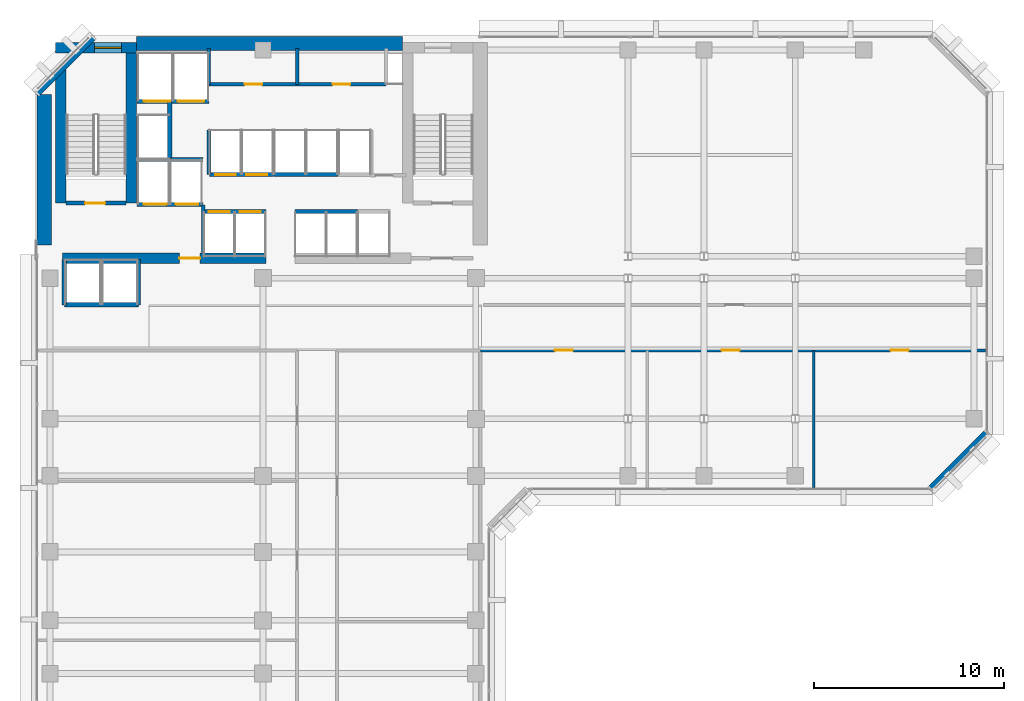
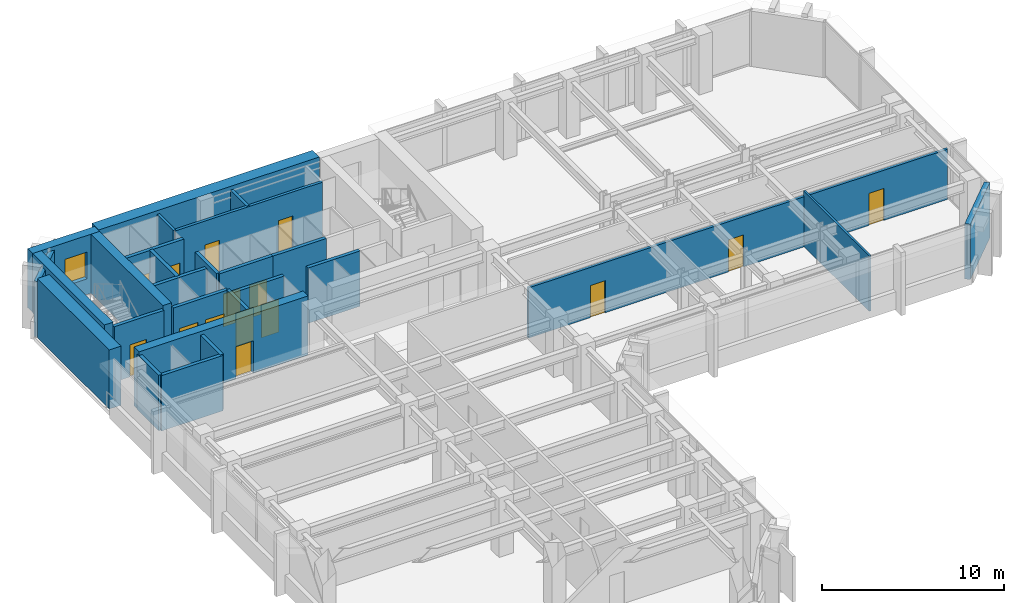
# One storey, part 7 of 12: 27 walls, 15 doors, 1 window, 16 openings.
"""IFC4 building model written with IfcOpenShell, lengths in metres."""

from ifc_helpers import new_model, si_unit, direction, frame, frame_2d, origin, place, context, subcontext, project, spatial, rectangle, extrude, material, layer, layer_set, type_object, element, fill, save


model = new_model("IFC4")

# Units and contexts
model_context = context("Model", 3, precision=1e-05, world=origin(), true_north=direction((0.0, 1.0)))
body_context = subcontext(model_context, "Body", "Model", "MODEL_VIEW")
ifc_project = project(units=[si_unit("LENGTHUNIT", "METRE"), si_unit("AREAUNIT", "SQUARE_METRE"), si_unit("VOLUMEUNIT", "CUBIC_METRE"), si_unit("PLANEANGLEUNIT", "RADIAN"), si_unit("MASSUNIT", "GRAM", prefix="KILO")], contexts=[model_context])

# Site, building, storey
site_placement = place(None, origin())
site = spatial("IfcSite", under=ifc_project, at=site_placement, CompositionType="ELEMENT")
building_placement = place(site_placement, origin())
building = spatial("IfcBuilding", under=site, at=building_placement, Name="Kefirva Bronze Tower", CompositionType="ELEMENT")
storey_placement = place(building_placement, frame((0.0, 0.0, 114.510009765625)))
storey = spatial("IfcBuildingStorey", under=building, at=storey_placement, Name="L27", CompositionType="ELEMENT", Elevation=114.510009765625)

# Wall
ifc_material_1 = material(Name="Gypsum acoustic partition")
ifc_layer_1 = layer(ifc_material_1, 0.1298828125, Name="Gypsum acoustic partition")
ifc_layer_set_1 = layer_set([ifc_layer_1], Name="Gypsum acoustic partition")
wall_type_1 = type_object("IfcWallType", Name="Acoustic Office Partition 130mm", PredefinedType="PARTITIONING", material=ifc_layer_set_1)
wall_1_placement = place(storey_placement, frame((40.9794921875, 22.18994140625, 0.0), z_axis=(0.0, 0.0, 1.0), x_axis=(0.0, 1.0, 0.0)))
element("IfcWall", 1, at=wall_1_placement, inside=storey, type_object=wall_type_1, Name="L27 Partition W-L27-ESD2", PredefinedType="PARTITIONING", context=body_context, shape_type="SweptSolid", body=[
    extrude(rectangle(XDim=7.2099609375, YDim=0.1298828125, at=frame_2d((3.60498046875, 0.0))), origin(), (0.0, 0.0, 1.0), 3.7099609375),
])

# Wall, opening, door
ifc_material_2 = material(Name="Gypsum fireboard shaftwall")
ifc_layer_2 = layer(ifc_material_2, 0.219970703125, Name="Gypsum fireboard shaftwall")
ifc_layer_set_2 = layer_set([ifc_layer_2], Name="Gypsum fireboard shaftwall")
wall_type_2 = type_object("IfcWallType", Name="Fire-Rated Shaft Enclosure Wall 220mm", PredefinedType="PARTITIONING", material=ifc_layer_set_2)
wall_2_placement = place(storey_placement, frame((1.64990234375, 37.14990234375, 0.0), z_axis=(0.0, 0.0, 1.0), x_axis=(1.0, 0.0, 0.0)))
wall_2 = element("IfcWall", 2, at=wall_2_placement, inside=storey, type_object=wall_type_2, Name="L27 Partition W-L27-ST1S", PredefinedType="PARTITIONING", context=body_context, shape_type="SweptSolid", body=[
    extrude(rectangle(XDim=3.150146484375, YDim=0.219970703125, at=frame_2d((1.5751953125, 0.0))), origin(), (0.0, 0.0, 1.0), 3.7099609375),
])
opening_1_placement = place(wall_2_placement, frame((2.050048828125, 0.0, 0.0), z_axis=(0.0, 0.0, 1.0), x_axis=(-1.0, 0.0, 0.0)))
opening_1 = element("IfcOpeningElement", 3, at=opening_1_placement, cuts=wall_2, Name="Opening L27-D001", PredefinedType="OPENING", context=body_context, shape_type="SweptSolid", body=[
    extrude(rectangle(XDim=1.050048828125, YDim=2.14990234375, at=frame_2d((0.52490234375, 1.074951171875))), frame((0.0, 0.1201171875, 0.0), z_axis=(0.0, -1.0, 0.0), x_axis=(1.0, 0.0, 0.0)), (0.0, 0.0, 1.0), 0.239990234375),
])
ifc_material_3 = material(Name="Painted galvanized steel", Category="steel")
door_type_1 = type_object("IfcDoorType", Name="Fire Stair Enclosure Door 1050x2150 FD90S", OperationType="NOTDEFINED", PredefinedType="DOOR", material=ifc_material_3)
door_1_placement = place(opening_1_placement, origin())
door_1 = element("IfcDoor", 4, at=door_1_placement, inside=storey, type_object=door_type_1, Name="Door L27-D001", OperationType="SINGLE_SWING_LEFT", OverallHeight=2.14990234375, OverallWidth=1.050048828125, PredefinedType="DOOR", context=body_context, shape_type="SweptSolid", body=[
    extrude(rectangle(XDim=1.050048828125, YDim=2.14990234375, at=frame_2d((0.52490234375, 1.074951171875))), frame((0.0, 0.02490234375, 0.0), z_axis=(0.0, -1.0, 0.0), x_axis=(1.0, 0.0, 0.0)), (0.0, 0.0, 1.0), 0.050048828125),
])
fill(opening_1, door_1)

# Wall, openings, doors
wall_3_placement = place(storey_placement, frame((5.3798828125, 37.080078125, 0.0), z_axis=(0.0, 0.0, 1.0), x_axis=(1.0, 0.0, 0.0)))
wall_3 = element("IfcWall", 5, at=wall_3_placement, inside=storey, type_object=wall_type_2, Name="L27 Partition W-L27-FFS", PredefinedType="PARTITIONING", context=body_context, shape_type="SweptSolid", body=[
    extrude(rectangle(XDim=3.460205078125, YDim=0.219970703125, at=frame_2d((1.72998046875, 0.0))), origin(), (0.0, 0.0, 1.0), 3.7099609375),
])
opening_2_placement = place(wall_3_placement, frame((1.550048828125, 0.0, 0.0), z_axis=(0.0, 0.0, 1.0), x_axis=(-1.0, 0.0, 0.0)))
opening_2 = element("IfcOpeningElement", 6, at=opening_2_placement, cuts=wall_3, Name="Opening L27-LD-FF1", PredefinedType="OPENING", context=body_context, shape_type="SweptSolid", body=[
    extrude(rectangle(XDim=1.199951171875, YDim=2.199951171875, at=frame_2d((0.60009765625, 1.10009765625))), frame((0.0, 0.1201171875, 0.0), z_axis=(0.0, -1.0, 0.0), x_axis=(1.0, 0.0, 0.0)), (0.0, 0.0, 1.0), 0.239990234375),
])
opening_3_placement = place(wall_3_placement, frame((3.219970703125, 0.0, 0.0), z_axis=(0.0, 0.0, 1.0), x_axis=(-1.0, 0.0, 0.0)))
opening_3 = element("IfcOpeningElement", 7, at=opening_3_placement, cuts=wall_3, Name="Opening L27-LD-FF2", PredefinedType="OPENING", context=body_context, shape_type="SweptSolid", body=[
    extrude(rectangle(XDim=1.199951171875, YDim=2.199951171875, at=frame_2d((0.60009765625, 1.10009765625))), frame((0.0, 0.1201171875, 0.0), z_axis=(0.0, -1.0, 0.0), x_axis=(1.0, 0.0, 0.0)), (0.0, 0.0, 1.0), 0.239990234375),
])
ifc_material_4 = material(Name="Stainless steel 316", Category="steel")
door_type_2 = type_object("IfcDoorType", Name="Firefighting Lift Sliding Door 1200x2200", OperationType="SLIDING_TO_RIGHT", PredefinedType="DOOR", material=ifc_material_4)
door_2_placement = place(opening_2_placement, origin())
door_2 = element("IfcDoor", 8, at=door_2_placement, inside=storey, type_object=door_type_2, Name="Door L27-LD-FF1", OperationType="SLIDING_TO_RIGHT", OverallHeight=2.199951171875, OverallWidth=1.199951171875, PredefinedType="DOOR", context=body_context, shape_type="SweptSolid", body=[
    extrude(rectangle(XDim=1.199951171875, YDim=2.199951171875, at=frame_2d((0.60009765625, 1.10009765625))), frame((0.0, 0.02490234375, 0.0), z_axis=(0.0, -1.0, 0.0), x_axis=(1.0, 0.0, 0.0)), (0.0, 0.0, 1.0), 0.050048828125),
])
fill(opening_2, door_2)
door_3_placement = place(opening_3_placement, origin())
door_3 = element("IfcDoor", 9, at=door_3_placement, inside=storey, type_object=door_type_2, Name="Door L27-LD-FF2", OperationType="SLIDING_TO_RIGHT", OverallHeight=2.199951171875, OverallWidth=1.199951171875, PredefinedType="DOOR", context=body_context, shape_type="SweptSolid", body=[
    extrude(rectangle(XDim=1.199951171875, YDim=2.199951171875, at=frame_2d((0.60009765625, 1.10009765625))), frame((0.0, 0.02490234375, 0.0), z_axis=(0.0, -1.0, 0.0), x_axis=(1.0, 0.0, 0.0)), (0.0, 0.0, 1.0), 0.050048828125),
])
fill(opening_3, door_3)

# Wall
wall_4_placement = place(storey_placement, frame((5.3798828125, 39.449951171875, 0.0), z_axis=(0.0, 0.0, 1.0), x_axis=(1.0, 0.0, 0.0)))
element("IfcWall", 10, at=wall_4_placement, inside=storey, type_object=wall_type_2, Name="L27 Partition W-L27-FFN", PredefinedType="PARTITIONING", context=body_context, shape_type="SweptSolid", body=[
    extrude(rectangle(XDim=3.460205078125, YDim=0.219970703125, at=frame_2d((1.72998046875, 0.0))), origin(), (0.0, 0.0, 1.0), 3.7099609375),
])

# Wall, openings, doors
wall_5_placement = place(storey_placement, frame((5.3798828125, 42.5, 0.0), z_axis=(0.0, 0.0, 1.0), x_axis=(1.0, 0.0, 0.0)))
wall_5 = element("IfcWall", 11, at=wall_5_placement, inside=storey, type_object=wall_type_2, Name="L27 Partition W-L27-SVS", PredefinedType="PARTITIONING", context=body_context, shape_type="SweptSolid", body=[
    extrude(rectangle(XDim=3.77001953125, YDim=0.219970703125, at=frame_2d((1.885009765625, 0.0))), origin(), (0.0, 0.0, 1.0), 3.7099609375),
])
opening_4_placement = place(wall_5_placement, frame((1.75, 0.0, 0.0), z_axis=(0.0, 0.0, 1.0), x_axis=(-1.0, 0.0, 0.0)))
opening_4 = element("IfcOpeningElement", 12, at=opening_4_placement, cuts=wall_5, Name="Opening L27-LD-SV1", PredefinedType="OPENING", context=body_context, shape_type="SweptSolid", body=[
    extrude(rectangle(XDim=1.39990234375, YDim=2.199951171875, at=frame_2d((0.699951171875, 1.10009765625))), frame((0.0, 0.1201171875, 0.0), z_axis=(0.0, -1.0, 0.0), x_axis=(1.0, 0.0, 0.0)), (0.0, 0.0, 1.0), 0.239990234375),
])
opening_5_placement = place(wall_5_placement, frame((3.52978515625, 0.0, 0.0), z_axis=(0.0, 0.0, 1.0), x_axis=(-1.0, 0.0, 0.0)))
opening_5 = element("IfcOpeningElement", 13, at=opening_5_placement, cuts=wall_5, Name="Opening L27-LD-SV2", PredefinedType="OPENING", context=body_context, shape_type="SweptSolid", body=[
    extrude(rectangle(XDim=1.39990234375, YDim=2.199951171875, at=frame_2d((0.699951171875, 1.10009765625))), frame((0.0, 0.1201171875, 0.0), z_axis=(0.0, -1.0, 0.0), x_axis=(1.0, 0.0, 0.0)), (0.0, 0.0, 1.0), 0.239990234375),
])
door_type_3 = type_object("IfcDoorType", Name="Goods Lift Bi-Parting Sliding Door 1400x2200", OperationType="SLIDING_TO_LEFT", PredefinedType="DOOR", material=ifc_material_4)
door_4_placement = place(opening_4_placement, origin())
door_4 = element("IfcDoor", 14, at=door_4_placement, inside=storey, type_object=door_type_3, Name="Door L27-LD-SV1", OperationType="SLIDING_TO_LEFT", OverallHeight=2.199951171875, OverallWidth=1.39990234375, PredefinedType="DOOR", context=body_context, shape_type="SweptSolid", body=[
    extrude(rectangle(XDim=1.39990234375, YDim=2.199951171875, at=frame_2d((0.699951171875, 1.10009765625))), frame((0.0, 0.02490234375, 0.0), z_axis=(0.0, -1.0, 0.0), x_axis=(1.0, 0.0, 0.0)), (0.0, 0.0, 1.0), 0.050048828125),
])
fill(opening_4, door_4)
door_5_placement = place(opening_5_placement, origin())
door_5 = element("IfcDoor", 15, at=door_5_placement, inside=storey, type_object=door_type_3, Name="Door L27-LD-SV2", OperationType="SLIDING_TO_LEFT", OverallHeight=2.199951171875, OverallWidth=1.39990234375, PredefinedType="DOOR", context=body_context, shape_type="SweptSolid", body=[
    extrude(rectangle(XDim=1.39990234375, YDim=2.199951171875, at=frame_2d((0.699951171875, 1.10009765625))), frame((0.0, 0.02490234375, 0.0), z_axis=(0.0, -1.0, 0.0), x_axis=(1.0, 0.0, 0.0)), (0.0, 0.0, 1.0), 0.050048828125),
])
fill(opening_5, door_5)

# Walls
wall_6_placement = place(storey_placement, frame((7.10009765625, 39.52001953125, 0.0), z_axis=(0.0, 0.0, 1.0), x_axis=(0.0, 1.0, 0.0)))
element("IfcWall", 16, at=wall_6_placement, inside=storey, type_object=wall_type_2, Name="L27 Partition W-L27-HP3E", PredefinedType="PARTITIONING", context=body_context, shape_type="SweptSolid", body=[
    extrude(rectangle(XDim=2.929931640625, YDim=0.219970703125, at=frame_2d((1.46484375, 0.0))), origin(), (0.0, 0.0, 1.0), 3.7099609375),
])
wall_7_placement = place(storey_placement, frame((1.550048828125, 31.800048828125, 0.0), z_axis=(0.0, 0.0, 1.0), x_axis=(1.0, 0.0, 0.0)))
element("IfcWall", 17, at=wall_7_placement, inside=storey, type_object=wall_type_2, Name="L27 Partition W-L27-OBS", PredefinedType="PARTITIONING", context=body_context, shape_type="SweptSolid", body=[
    extrude(rectangle(XDim=3.89990234375, YDim=0.219970703125, at=frame_2d((1.949951171875, 0.0))), origin(), (0.0, 0.0, 1.0), 3.7099609375),
])
for number, where, z_axis, x_axis, name in (
    (18, (1.550048828125, 31.800048828125, 0.0), (0.0, 0.0, 1.0), (0.0, 1.0, 0.0), "L27 Partition W-L27-OBW"),
    (19, (5.449951171875, 31.800048828125, 0.0), (0.0, 0.0, 1.0), (0.0, 1.0, 0.0), "L27 Partition W-L27-OBE"),
):
    element("IfcWall", number, at=place(storey_placement, frame(where, z_axis=z_axis, x_axis=x_axis)), inside=storey, type_object=wall_type_2, Name=name, PredefinedType="PARTITIONING", context=body_context, shape_type="SweptSolid", body=[
        extrude(rectangle(XDim=2.3798828125, YDim=0.219970703125, at=frame_2d((1.18994140625, 0.0))), origin(), (0.0, 0.0, 1.0), 3.7099609375),
    ])
wall_8_placement = place(storey_placement, frame((9.159912109375, 38.64990234375, 0.0), z_axis=(0.0, 0.0, 1.0), x_axis=(0.0, 1.0, 0.0)))
element("IfcWall", 20, at=wall_8_placement, inside=storey, type_object=wall_type_2, Name="L27 Partition W-L27-LP3W", PredefinedType="PARTITIONING", context=body_context, shape_type="SweptSolid", body=[
    extrude(rectangle(XDim=2.35009765625, YDim=0.199951171875, at=frame_2d((1.175048828125, 0.0))), origin(), (0.0, 0.0, 1.0), 3.7099609375),
])

# Wall, openings, doors
wall_9_placement = place(storey_placement, frame((8.89990234375, 36.699951171875, 0.0), z_axis=(0.0, 0.0, 1.0), x_axis=(1.0, 0.0, 0.0)))
wall_9 = element("IfcWall", 21, at=wall_9_placement, inside=storey, type_object=wall_type_2, Name="L27 Partition W-L27-LPS", PredefinedType="PARTITIONING", context=body_context, shape_type="SweptSolid", body=[
    extrude(rectangle(XDim=3.260009765625, YDim=0.219970703125, at=frame_2d((1.6298828125, 0.0))), origin(), (0.0, 0.0, 1.0), 3.7099609375),
])
opening_6_placement = place(wall_9_placement, frame((0.260009765625, 0.0, 0.0)))
opening_6 = element("IfcOpeningElement", 22, at=opening_6_placement, cuts=wall_9, Name="Opening L27-LD-LP1", PredefinedType="OPENING", context=body_context, shape_type="SweptSolid", body=[
    extrude(rectangle(XDim=1.10009765625, YDim=2.199951171875, at=frame_2d((0.550048828125, 1.10009765625))), frame((0.0, 0.1201171875, 0.0), z_axis=(0.0, -1.0, 0.0), x_axis=(1.0, 0.0, 0.0)), (0.0, 0.0, 1.0), 0.239990234375),
])
opening_7_placement = place(wall_9_placement, frame((1.8798828125, 0.0, 0.0)))
opening_7 = element("IfcOpeningElement", 23, at=opening_7_placement, cuts=wall_9, Name="Opening L27-LD-LP2", PredefinedType="OPENING", context=body_context, shape_type="SweptSolid", body=[
    extrude(rectangle(XDim=1.10009765625, YDim=2.199951171875, at=frame_2d((0.550048828125, 1.10009765625))), frame((0.0, 0.1201171875, 0.0), z_axis=(0.0, -1.0, 0.0), x_axis=(1.0, 0.0, 0.0)), (0.0, 0.0, 1.0), 0.239990234375),
])
door_type_4 = type_object("IfcDoorType", Name="Passenger Lift Sliding Landing Door 1100x2200", OperationType="SLIDING_TO_LEFT", PredefinedType="DOOR", material=ifc_material_4)
door_6_placement = place(opening_6_placement, origin())
door_6 = element("IfcDoor", 24, at=door_6_placement, inside=storey, type_object=door_type_4, Name="Door L27-LD-LP1", OperationType="SLIDING_TO_LEFT", OverallHeight=2.199951171875, OverallWidth=1.10009765625, PredefinedType="DOOR", context=body_context, shape_type="SweptSolid", body=[
    extrude(rectangle(XDim=1.10009765625, YDim=2.199951171875, at=frame_2d((0.550048828125, 1.10009765625))), frame((0.0, 0.02490234375, 0.0), z_axis=(0.0, -1.0, 0.0), x_axis=(1.0, 0.0, 0.0)), (0.0, 0.0, 1.0), 0.050048828125),
])
fill(opening_6, door_6)
door_7_placement = place(opening_7_placement, origin())
door_7 = element("IfcDoor", 25, at=door_7_placement, inside=storey, type_object=door_type_4, Name="Door L27-LD-LP2", OperationType="SLIDING_TO_LEFT", OverallHeight=2.199951171875, OverallWidth=1.10009765625, PredefinedType="DOOR", context=body_context, shape_type="SweptSolid", body=[
    extrude(rectangle(XDim=1.10009765625, YDim=2.199951171875, at=frame_2d((0.550048828125, 1.10009765625))), frame((0.0, 0.02490234375, 0.0), z_axis=(0.0, -1.0, 0.0), x_axis=(1.0, 0.0, 0.0)), (0.0, 0.0, 1.0), 0.050048828125),
])
fill(opening_7, door_7)

wall_10_placement = place(storey_placement, frame((9.179931640625, 38.64990234375, 0.0), z_axis=(0.0, 0.0, 1.0), x_axis=(1.0, 0.0, 0.0)))
wall_10 = element("IfcWall", 26, at=wall_10_placement, inside=storey, type_object=wall_type_2, Name="L27 Partition W-L27-LPN", PredefinedType="PARTITIONING", context=body_context, shape_type="SweptSolid", body=[
    extrude(rectangle(XDim=3.380126953125, YDim=0.219970703125, at=frame_2d((1.68994140625, 0.0))), origin(), (0.0, 0.0, 1.0), 3.7099609375),
])
opening_8_placement = place(wall_10_placement, frame((0.300048828125, 0.0, 0.0)))
opening_8 = element("IfcOpeningElement", 27, at=opening_8_placement, cuts=wall_10, Name="Opening L27-LD-LP3", PredefinedType="OPENING", context=body_context, shape_type="SweptSolid", body=[
    extrude(rectangle(XDim=1.10009765625, YDim=2.199951171875, at=frame_2d((0.550048828125, 1.10009765625))), frame((0.0, 0.1201171875, 0.0), z_axis=(0.0, -1.0, 0.0), x_axis=(1.0, 0.0, 0.0)), (0.0, 0.0, 1.0), 0.239990234375),
])
opening_9_placement = place(wall_10_placement, frame((1.949951171875, 0.0, 0.0)))
opening_9 = element("IfcOpeningElement", 28, at=opening_9_placement, cuts=wall_10, Name="Opening L27-LD-LP4", PredefinedType="OPENING", context=body_context, shape_type="SweptSolid", body=[
    extrude(rectangle(XDim=1.10009765625, YDim=2.199951171875, at=frame_2d((0.550048828125, 1.10009765625))), frame((0.0, 0.1201171875, 0.0), z_axis=(0.0, -1.0, 0.0), x_axis=(1.0, 0.0, 0.0)), (0.0, 0.0, 1.0), 0.239990234375),
])
door_8_placement = place(opening_8_placement, origin())
door_8 = element("IfcDoor", 29, at=door_8_placement, inside=storey, type_object=door_type_4, Name="Door L27-LD-LP3", OperationType="SLIDING_TO_LEFT", OverallHeight=2.199951171875, OverallWidth=1.10009765625, PredefinedType="DOOR", context=body_context, shape_type="SweptSolid", body=[
    extrude(rectangle(XDim=1.10009765625, YDim=2.199951171875, at=frame_2d((0.550048828125, 1.10009765625))), frame((0.0, 0.02490234375, 0.0), z_axis=(0.0, -1.0, 0.0), x_axis=(1.0, 0.0, 0.0)), (0.0, 0.0, 1.0), 0.050048828125),
])
fill(opening_8, door_8)
door_9_placement = place(opening_9_placement, origin())
door_9 = element("IfcDoor", 30, at=door_9_placement, inside=storey, type_object=door_type_4, Name="Door L27-LD-LP4", OperationType="SLIDING_TO_LEFT", OverallHeight=2.199951171875, OverallWidth=1.10009765625, PredefinedType="DOOR", context=body_context, shape_type="SweptSolid", body=[
    extrude(rectangle(XDim=1.10009765625, YDim=2.199951171875, at=frame_2d((0.550048828125, 1.10009765625))), frame((0.0, 0.02490234375, 0.0), z_axis=(0.0, -1.0, 0.0), x_axis=(1.0, 0.0, 0.0)), (0.0, 0.0, 1.0), 0.050048828125),
])
fill(opening_9, door_9)

# Walls
wall_11_placement = place(storey_placement, frame((13.679931640625, 36.699951171875, 0.0), z_axis=(0.0, 0.0, 1.0), x_axis=(1.0, 0.0, 0.0)))
element("IfcWall", 31, at=wall_11_placement, inside=storey, type_object=wall_type_2, Name="L27 Partition W-L27-MPS", PredefinedType="PARTITIONING", context=body_context, shape_type="SweptSolid", body=[
    extrude(rectangle(XDim=3.280029296875, YDim=0.219970703125, at=frame_2d((1.64013671875, 0.0))), origin(), (0.0, 0.0, 1.0), 3.7099609375),
])
wall_12_placement = place(storey_placement, frame((12.580078125, 38.64990234375, 0.0), z_axis=(0.0, 0.0, 1.0), x_axis=(1.0, 0.0, 0.0)))
element("IfcWall", 32, at=wall_12_placement, inside=storey, type_object=wall_type_2, Name="L27 Partition W-L27-MPN", PredefinedType="PARTITIONING", context=body_context, shape_type="SweptSolid", body=[
    extrude(rectangle(XDim=3.3798828125, YDim=0.219970703125, at=frame_2d((1.68994140625, 0.0))), origin(), (0.0, 0.0, 1.0), 3.7099609375),
])
ifc_material_5 = material(Name="Gypsum fireboard barrier")
ifc_layer_3 = layer(ifc_material_5, 0.199951171875, Name="Gypsum fireboard barrier")
ifc_layer_set_3 = layer_set([ifc_layer_3], Name="Gypsum fireboard barrier")
wall_type_3 = type_object("IfcWallType", Name="Firefighting Lobby Barrier Wall 200mm", PredefinedType="PARTITIONING", material=ifc_layer_set_3)
wall_13_placement = place(storey_placement, frame((8.860107421875, 34.550048828125, 0.0), z_axis=(0.0, 0.0, 1.0), x_axis=(0.0, 1.0, 0.0)))
element("IfcWall", 33, at=wall_13_placement, inside=storey, type_object=wall_type_3, Name="L27 Partition W-L27-FFLE", PredefinedType="PARTITIONING", context=body_context, shape_type="SweptSolid", body=[
    extrude(rectangle(XDim=2.5, YDim=0.199951171875, at=frame_2d((1.25, 0.0))), origin(), (0.0, 0.0, 1.0), 3.7099609375),
])
ifc_material_6 = material(Name="Precast concrete C40/50", Category="concrete")
ifc_layer_4 = layer(ifc_material_6, 0.320068359375, Name="Precast concrete C40/50")
ifc_layer_set_4 = layer_set([ifc_layer_4], Name="Precast concrete C40/50")
wall_type_4 = type_object("IfcWallType", Name="Precast Insulated Exterior Wall 320mm", PredefinedType="SOLIDWALL", material=ifc_layer_set_4)
for number, where, z_axis, x_axis, name in (
    (34, (47.125732421875, 22.152099609375, 0.0), (0.0, 0.0, 1.0), (0.707136318428, 0.707077242712, 0.0), "L27 Exterior Facade Wall 3"),
    (35, (3.07421875, 45.847900390625, 0.0), (0.0, 0.0, 1.0), (-0.707106781187, -0.707106781187, 0.0), "L27 Exterior Facade Wall 5"),
):
    element("IfcWall", number, at=place(storey_placement, frame(where, z_axis=z_axis, x_axis=x_axis)), inside=storey, type_object=wall_type_4, Name=name, PredefinedType="SOLIDWALL", context=body_context, shape_type="SweptSolid", body=[
        extrude(rectangle(XDim=4.132568359375, YDim=0.320068359375, at=frame_2d((2.06640625, 0.0))), origin(), (0.0, 0.0, 1.0), 3.7099609375),
    ])

# Wall, openings, doors
ifc_layer_5 = layer(ifc_material_1, 0.159912109375, Name="Gypsum acoustic partition")
ifc_layer_set_5 = layer_set([ifc_layer_5], Name="Gypsum acoustic partition")
wall_type_5 = type_object("IfcWallType", Name="Protected Corridor Partition 160mm", PredefinedType="PARTITIONING", material=ifc_layer_set_5)
wall_14_placement = place(storey_placement, frame((23.449951171875, 29.39990234375, 0.0), z_axis=(0.0, 0.0, 1.0), x_axis=(1.0, 0.0, 0.0)))
wall_14 = element("IfcWall", 36, at=wall_14_placement, inside=storey, type_object=wall_type_5, Name="L27 Partition W-L27-EWS", PredefinedType="PARTITIONING", context=body_context, shape_type="SweptSolid", body=[
    extrude(rectangle(XDim=26.56005859375, YDim=0.159912109375, at=frame_2d((13.280029296875, 0.0))), origin(), (0.0, 0.0, 1.0), 3.364990234375),
])
opening_10_placement = place(wall_14_placement, frame((4.857421875, 0.0, 0.0), z_axis=(0.0, 0.0, 1.0), x_axis=(-1.0, 0.0, 0.0)))
opening_10 = element("IfcOpeningElement", 37, at=opening_10_placement, cuts=wall_14, Name="Opening L27-D-ES1", PredefinedType="OPENING", context=body_context, shape_type="SweptSolid", body=[
    extrude(rectangle(XDim=0.949951171875, YDim=2.14990234375, at=frame_2d((0.47509765625, 1.074951171875))), frame((0.0, 0.08984375, 0.0), z_axis=(0.0, -1.0, 0.0), x_axis=(1.0, 0.0, 0.0)), (0.0, 0.0, 1.0), 0.179931640625),
])
opening_11_placement = place(wall_14_placement, frame((13.6220703125, 0.0, 0.0), z_axis=(0.0, 0.0, 1.0), x_axis=(-1.0, 0.0, 0.0)))
opening_11 = element("IfcOpeningElement", 38, at=opening_11_placement, cuts=wall_14, Name="Opening L27-D-ES2", PredefinedType="OPENING", context=body_context, shape_type="SweptSolid", body=[
    extrude(rectangle(XDim=0.949951171875, YDim=2.14990234375, at=frame_2d((0.47509765625, 1.074951171875))), frame((0.0, 0.08984375, 0.0), z_axis=(0.0, -1.0, 0.0), x_axis=(1.0, 0.0, 0.0)), (0.0, 0.0, 1.0), 0.179931640625),
])
opening_12_placement = place(wall_14_placement, frame((22.519775390625, 0.0, 0.0), z_axis=(0.0, 0.0, 1.0), x_axis=(-1.0, 0.0, 0.0)))
opening_12 = element("IfcOpeningElement", 39, at=opening_12_placement, cuts=wall_14, Name="Opening L27-D-ES3", PredefinedType="OPENING", context=body_context, shape_type="SweptSolid", body=[
    extrude(rectangle(XDim=0.949951171875, YDim=2.14990234375, at=frame_2d((0.47509765625, 1.074951171875))), frame((0.0, 0.08984375, 0.0), z_axis=(0.0, -1.0, 0.0), x_axis=(1.0, 0.0, 0.0)), (0.0, 0.0, 1.0), 0.179931640625),
])
ifc_material_7 = material(Name="Acoustic hardwood oak", Category="wood")
door_type_5 = type_object("IfcDoorType", Name="Office & Meeting Room Door 950x2150", OperationType="NOTDEFINED", PredefinedType="DOOR", material=ifc_material_7)
door_10_placement = place(opening_10_placement, origin())
door_10 = element("IfcDoor", 40, at=door_10_placement, inside=storey, type_object=door_type_5, Name="Door L27-D-ES1", OperationType="SINGLE_SWING_RIGHT", OverallHeight=2.14990234375, OverallWidth=0.949951171875, PredefinedType="DOOR", context=body_context, shape_type="SweptSolid", body=[
    extrude(rectangle(XDim=0.949951171875, YDim=2.14990234375, at=frame_2d((0.47509765625, 1.074951171875))), frame((0.0, 0.02490234375, 0.0), z_axis=(0.0, -1.0, 0.0), x_axis=(1.0, 0.0, 0.0)), (0.0, 0.0, 1.0), 0.050048828125),
])
fill(opening_10, door_10)
door_11_placement = place(opening_11_placement, origin())
door_11 = element("IfcDoor", 41, at=door_11_placement, inside=storey, type_object=door_type_5, Name="Door L27-D-ES2", OperationType="SINGLE_SWING_LEFT", OverallHeight=2.14990234375, OverallWidth=0.949951171875, PredefinedType="DOOR", context=body_context, shape_type="SweptSolid", body=[
    extrude(rectangle(XDim=0.949951171875, YDim=2.14990234375, at=frame_2d((0.47509765625, 1.074951171875))), frame((0.0, 0.02490234375, 0.0), z_axis=(0.0, -1.0, 0.0), x_axis=(1.0, 0.0, 0.0)), (0.0, 0.0, 1.0), 0.050048828125),
])
fill(opening_11, door_11)
door_12_placement = place(opening_12_placement, origin())
door_12 = element("IfcDoor", 42, at=door_12_placement, inside=storey, type_object=door_type_5, Name="Door L27-D-ES3", OperationType="SINGLE_SWING_RIGHT", OverallHeight=2.14990234375, OverallWidth=0.949951171875, PredefinedType="DOOR", context=body_context, shape_type="SweptSolid", body=[
    extrude(rectangle(XDim=0.949951171875, YDim=2.14990234375, at=frame_2d((0.47509765625, 1.074951171875))), frame((0.0, 0.02490234375, 0.0), z_axis=(0.0, -1.0, 0.0), x_axis=(1.0, 0.0, 0.0)), (0.0, 0.0, 1.0), 0.050048828125),
])
fill(opening_12, door_12)

# Wall, opening, window
ifc_material_8 = material(Name="Concrete C50/60", Category="concrete")
ifc_layer_6 = layer(ifc_material_8, 0.550048828125, Name="Concrete C50/60")
ifc_layer_set_6 = layer_set([ifc_layer_6], Name="Concrete C50/60")
wall_type_6 = type_object("IfcWallType", Name="RC Rear Core Exterior Wall 550mm", PredefinedType="SHEAR", material=ifc_layer_set_6)
wall_15_placement = place(storey_placement, frame((1.10009765625, 45.320068359375, 0.0), z_axis=(0.0, 0.0, 1.0), x_axis=(1.0, 0.0, 0.0)))
wall_15 = element("IfcWall", 43, at=wall_15_placement, inside=storey, type_object=wall_type_6, Name="L27 Stair 1 North Shear Wall", PredefinedType="SHEAR", context=body_context, shape_type="SweptSolid", body=[
    extrude(rectangle(XDim=4.239990234375, YDim=0.550048828125, at=frame_2d((2.1201171875, 0.0))), origin(), (0.0, 0.0, 1.0), 3.9599609375),
])
opening_13_placement = place(wall_15_placement, frame((2.050048828125, 0.0, 1.050048828125)))
opening_13 = element("IfcOpeningElement", 44, at=opening_13_placement, cuts=wall_15, Name="Opening WN-03", PredefinedType="OPENING", context=body_context, shape_type="SweptSolid", body=[
    extrude(rectangle(XDim=1.39990234375, YDim=1.800048828125, at=frame_2d((0.699951171875, 0.89990234375))), frame((0.0, 0.28515625, 0.0), z_axis=(0.0, -1.0, 0.0), x_axis=(1.0, 0.0, 0.0)), (0.0, 0.0, 1.0), 0.570068359375),
])
ifc_material_9 = material(Name="Laminated low-E double glazing", Category="glass")
window_type = type_object("IfcWindowType", Name="Rear-Core Stair Daylight Window 1400x1800", PartitioningType="SINGLE_PANEL", PredefinedType="WINDOW", material=ifc_material_9)
window_placement = place(opening_13_placement, origin())
window = element("IfcWindow", 45, at=window_placement, inside=storey, type_object=window_type, Name="L27 Stair 1 Daylight Window", OverallHeight=1.800048828125, OverallWidth=1.39990234375, PartitioningType="SINGLE_PANEL", PredefinedType="WINDOW", context=body_context, shape_type="SweptSolid", body=[
    extrude(rectangle(XDim=1.39990234375, YDim=1.800048828125, at=frame_2d((0.699951171875, 0.89990234375))), frame((0.0, 0.030029296875, 0.0), z_axis=(0.0, -1.0, 0.0), x_axis=(1.0, 0.0, 0.0)), (0.0, 0.0, 1.0), 0.06005859375),
])
fill(opening_13, window)

# Walls
ifc_material_10 = material(Name="Concrete C60/75", Category="concrete")
ifc_layer_7 = layer(ifc_material_10, 0.75, Name="Concrete C60/75")
ifc_layer_set_7 = layer_set([ifc_layer_7], Name="Concrete C60/75")
wall_type_7 = type_object("IfcWallType", Name="RC Rear Core Exterior Wall 750mm", PredefinedType="SHEAR", material=ifc_layer_set_7)
wall_16_placement = place(storey_placement, frame((5.360107421875, 45.550048828125, 0.0), z_axis=(0.0, 0.0, 1.0), x_axis=(1.0, 0.0, 0.0)))
element("IfcWall", 46, at=wall_16_placement, inside=storey, type_object=wall_type_7, Name="L27 Rear Core North Shear Wall", PredefinedType="SHEAR", context=body_context, shape_type="SweptSolid", body=[
    extrude(rectangle(XDim=13.97998046875, YDim=0.75, at=frame_2d((6.989990234375, 0.0))), origin(), (0.0, 0.0, 1.0), 3.9599609375),
])
wall_17_placement = place(storey_placement, frame((0.5, 34.949951171875, 0.0), z_axis=(0.0, 0.0, 1.0), x_axis=(0.0, 1.0, 0.0)))
element("IfcWall", 47, at=wall_17_placement, inside=storey, type_object=wall_type_7, Name="L27 Rear Core West Shear Wall", PredefinedType="SHEAR", context=body_context, shape_type="SweptSolid", body=[
    extrude(rectangle(XDim=7.900146484375, YDim=0.75, at=frame_2d((3.9501953125, 0.0))), origin(), (0.0, 0.0, 1.0), 3.9599609375),
])
ifc_layer_8 = layer(ifc_material_8, 0.550048828125, Name="Concrete C50/60")
ifc_layer_set_8 = layer_set([ifc_layer_8], Name="Concrete C50/60")
wall_type_8 = type_object("IfcWallType", Name="RC Rear Core Interior Wall 550mm", PredefinedType="SHEAR", material=ifc_layer_set_8)
for number, where, z_axis, x_axis, name in (
    (48, (1.3701171875, 37.14990234375, 0.0), (0.0, 0.0, 1.0), (0.0, 1.0, 0.0), "L27 Stair 1 West Shear Wall"),
    (49, (5.070068359375, 37.14990234375, 0.0), (0.0, 0.0, 1.0), (0.0, 1.0, 0.0), "L27 Stair 1 East Shear Wall"),
):
    element("IfcWall", number, at=place(storey_placement, frame(where, z_axis=z_axis, x_axis=x_axis)), inside=storey, type_object=wall_type_8, Name=name, PredefinedType="SHEAR", context=body_context, shape_type="SweptSolid", body=[
        extrude(rectangle(XDim=7.89013671875, YDim=0.550048828125, at=frame_2d((3.945068359375, 0.0))), origin(), (0.0, 0.0, 1.0), 3.9599609375),
    ])

# Wall, opening, door
ifc_layer_9 = layer(ifc_material_10, 0.75, Name="Concrete C60/75")
ifc_layer_set_9 = layer_set([ifc_layer_9], Name="Concrete C60/75")
wall_type_9 = type_object("IfcWallType", Name="RC Rear Core Interior Wall 750mm", PredefinedType="SHEAR", material=ifc_layer_set_9)
wall_18_placement = place(storey_placement, frame((1.449951171875, 34.25, 0.0), z_axis=(0.0, 0.0, 1.0), x_axis=(1.0, 0.0, 0.0)))
wall_18 = element("IfcWall", 50, at=wall_18_placement, inside=storey, type_object=wall_type_9, Name="L27 Rear Core South-West Shear Wall", PredefinedType="SHEAR", context=body_context, shape_type="SweptSolid", body=[
    extrude(rectangle(XDim=10.7099609375, YDim=0.550048828125, at=frame_2d((5.35498046875, 0.0))), origin(), (0.0, 0.0, 1.0), 3.9599609375),
])
opening_14_placement = place(wall_18_placement, frame((7.25, 0.0, 0.0), z_axis=(0.0, 0.0, 1.0), x_axis=(-1.0, 0.0, 0.0)))
opening_14 = element("IfcOpeningElement", 51, at=opening_14_placement, cuts=wall_18, Name="Opening L27-D002", PredefinedType="OPENING", context=body_context, shape_type="SweptSolid", body=[
    extrude(rectangle(XDim=1.10009765625, YDim=2.14990234375, at=frame_2d((0.550048828125, 1.074951171875))), frame((0.0, 0.28515625, 0.0), z_axis=(0.0, -1.0, 0.0), x_axis=(1.0, 0.0, 0.0)), (0.0, 0.0, 1.0), 0.570068359375),
])
door_type_6 = type_object("IfcDoorType", Name="Firefighting Lobby Smoke Door 1100x2150 FD60S", OperationType="NOTDEFINED", PredefinedType="DOOR", material=ifc_material_3)
door_13_placement = place(opening_14_placement, origin())
door_13 = element("IfcDoor", 52, at=door_13_placement, inside=storey, type_object=door_type_6, Name="Door L27-D002", OperationType="SINGLE_SWING_RIGHT", OverallHeight=2.14990234375, OverallWidth=1.10009765625, PredefinedType="DOOR", context=body_context, shape_type="SweptSolid", body=[
    extrude(rectangle(XDim=1.10009765625, YDim=2.14990234375, at=frame_2d((0.550048828125, 1.074951171875))), frame((0.0, 0.02490234375, 0.0), z_axis=(0.0, -1.0, 0.0), x_axis=(1.0, 0.0, 0.0)), (0.0, 0.0, 1.0), 0.050048828125),
])
fill(opening_14, door_13)

# Wall, openings, doors
ifc_material_11 = material(Name="Moisture-resistant partition")
ifc_layer_10 = layer(ifc_material_11, 0.179931640625, Name="Moisture-resistant partition")
ifc_layer_set_10 = layer_set([ifc_layer_10], Name="Moisture-resistant partition")
wall_type_10 = type_object("IfcWallType", Name="Sanitary Plumbing Chase Wall 180mm", PredefinedType="PLUMBINGWALL", material=ifc_layer_set_10)
wall_19_placement = place(storey_placement, frame((9.14990234375, 43.39990234375, 0.0), z_axis=(0.0, 0.0, 1.0), x_axis=(1.0, 0.0, 0.0)))
wall_19 = element("IfcWall", 53, at=wall_19_placement, inside=storey, type_object=wall_type_10, Name="L27 Partition W-L27-SVCS", PredefinedType="PLUMBINGWALL", context=body_context, shape_type="SweptSolid", body=[
    extrude(rectangle(XDim=9.330078125, YDim=0.179931640625, at=frame_2d((4.6650390625, 0.0))), origin(), (0.0, 0.0, 1.0), 3.7099609375),
])
opening_15_placement = place(wall_19_placement, frame((1.8798828125, 0.0, 0.0)))
opening_15 = element("IfcOpeningElement", 54, at=opening_15_placement, cuts=wall_19, Name="Opening L27-D-CSVC1", PredefinedType="OPENING", context=body_context, shape_type="SweptSolid", body=[
    extrude(rectangle(XDim=0.919921875, YDim=2.10009765625, at=frame_2d((0.4599609375, 1.050048828125))), frame((0.0, 0.10009765625, 0.0), z_axis=(0.0, -1.0, 0.0), x_axis=(1.0, 0.0, 0.0)), (0.0, 0.0, 1.0), 0.199951171875),
])
opening_16_placement = place(wall_19_placement, frame((6.514892578125, 0.0, 0.0)))
opening_16 = element("IfcOpeningElement", 55, at=opening_16_placement, cuts=wall_19, Name="Opening L27-D-CSVC2", PredefinedType="OPENING", context=body_context, shape_type="SweptSolid", body=[
    extrude(rectangle(XDim=0.919921875, YDim=2.10009765625, at=frame_2d((0.4599609375, 1.050048828125))), frame((0.0, 0.10009765625, 0.0), z_axis=(0.0, -1.0, 0.0), x_axis=(1.0, 0.0, 0.0)), (0.0, 0.0, 1.0), 0.199951171875),
])
ifc_material_12 = material(Name="Moisture-resistant timber", Category="wood")
door_type_7 = type_object("IfcDoorType", Name="Accessible Sanitary & WC Door 920x2100", OperationType="NOTDEFINED", PredefinedType="DOOR", material=ifc_material_12)
door_14_placement = place(opening_15_placement, origin())
door_14 = element("IfcDoor", 56, at=door_14_placement, inside=storey, type_object=door_type_7, Name="Door L27-D-CSVC1", OperationType="SINGLE_SWING_RIGHT", OverallHeight=2.10009765625, OverallWidth=0.919921875, PredefinedType="DOOR", context=body_context, shape_type="SweptSolid", body=[
    extrude(rectangle(XDim=0.919921875, YDim=2.10009765625, at=frame_2d((0.4599609375, 1.050048828125))), frame((0.0, 0.02490234375, 0.0), z_axis=(0.0, -1.0, 0.0), x_axis=(1.0, 0.0, 0.0)), (0.0, 0.0, 1.0), 0.050048828125),
])
fill(opening_15, door_14)
door_15_placement = place(opening_16_placement, origin())
door_15 = element("IfcDoor", 57, at=door_15_placement, inside=storey, type_object=door_type_7, Name="Door L27-D-CSVC2", OperationType="SINGLE_SWING_LEFT", OverallHeight=2.10009765625, OverallWidth=0.919921875, PredefinedType="DOOR", context=body_context, shape_type="SweptSolid", body=[
    extrude(rectangle(XDim=0.919921875, YDim=2.10009765625, at=frame_2d((0.4599609375, 1.050048828125))), frame((0.0, 0.02490234375, 0.0), z_axis=(0.0, -1.0, 0.0), x_axis=(1.0, 0.0, 0.0)), (0.0, 0.0, 1.0), 0.050048828125),
])
fill(opening_16, door_15)

# Walls
for number, where, z_axis, x_axis, name in (
    (58, (9.14990234375, 43.39990234375, 0.0), (0.0, 0.0, 1.0), (0.0, 1.0, 0.0), "L27 Partition W-L27-SVCW"),
    (59, (13.800048828125, 43.39990234375, 0.0), (0.0, 0.0, 1.0), (0.0, 1.0, 0.0), "L27 Partition W-L27-CSVD-1"),
):
    element("IfcWall", number, at=place(storey_placement, frame(where, z_axis=z_axis, x_axis=x_axis)), inside=storey, type_object=wall_type_10, Name=name, PredefinedType="PLUMBINGWALL", context=body_context, shape_type="SweptSolid", body=[
        extrude(rectangle(XDim=1.880126953125, YDim=0.179931640625, at=frame_2d((0.93994140625, 0.0))), origin(), (0.0, 0.0, 1.0), 3.7099609375),
    ])

save(model, "model.ifc")
